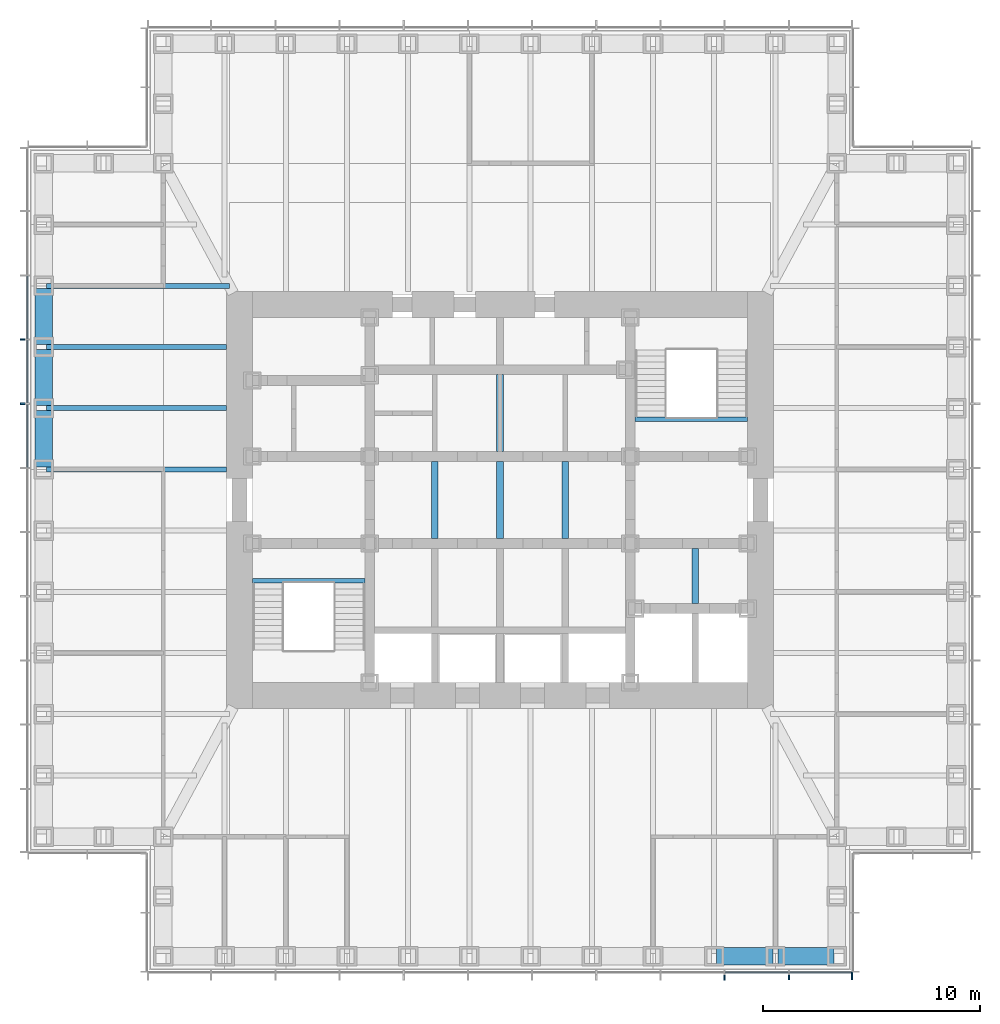
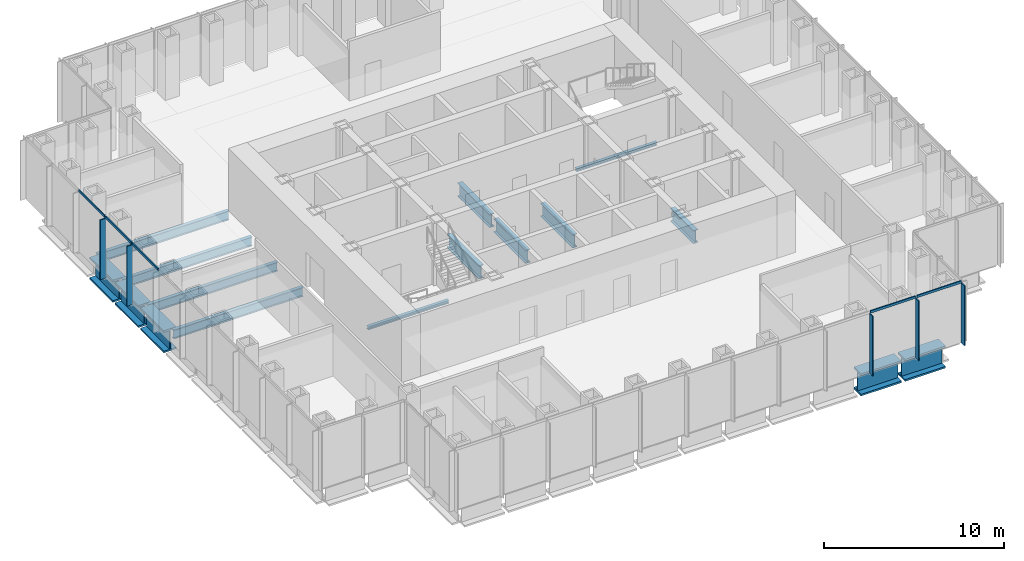
# One storey, part 3 of 16: 16 beams, 10 members, 2 elements without a shape of their own.
"""IFC4 building model written with IfcOpenShell, lengths in metres."""

from ifc_helpers import new_model, si_unit, direction, frame, origin, origin_2d, place, context, subcontext, project, spatial, rectangle, i_section, extrude, material, material_profile, profile_set, type_object, element, aggregate, save


model = new_model("IFC4")

# Units and contexts
model_context = context("Model", 3, precision=1e-05, world=origin(), true_north=direction((0.0, 1.0)))
body_context = subcontext(model_context, "Body", "Model", "MODEL_VIEW")
ifc_project = project(units=[si_unit("LENGTHUNIT", "METRE"), si_unit("AREAUNIT", "SQUARE_METRE"), si_unit("VOLUMEUNIT", "CUBIC_METRE"), si_unit("PLANEANGLEUNIT", "RADIAN"), si_unit("MASSUNIT", "GRAM", prefix="KILO")], contexts=[model_context])

# Site, building, storey
site_placement = place(None, origin())
site = spatial("IfcSite", under=ifc_project, at=site_placement, CompositionType="ELEMENT")
building_placement = place(site_placement, origin())
building = spatial("IfcBuilding", under=site, at=building_placement, Name="Daluyong Arena Tower", CompositionType="ELEMENT")
storey_placement = place(building_placement, frame((0.0, 0.0, 198.10009765625)))
storey = spatial("IfcBuildingStorey", under=building, at=storey_placement, Name="L44", CompositionType="ELEMENT", Elevation=198.10009765625)

# Curtain wall, members
ifc_material_1 = material(Name="Bronze anodised aluminium and glass", Category="aluminium")
curtain_wall_type = type_object("IfcCurtainWallType", Name="Curtain wall CW3", PredefinedType="USERDEFINED", material=ifc_material_1)
curtain_wall_1_placement = place(storey_placement, origin())
curtain_wall_1 = element("IfcCurtainWall", 1, at=curtain_wall_1_placement, inside=storey, type_object=curtain_wall_type, Name="curtain wall L44 S", ObjectType="UNITISED CURTAIN WALL", PredefinedType="USERDEFINED")
ifc_material_2 = material(Name="Bronze anodised aluminium fin", Category="aluminium")
ifc_material_profile_1 = material_profile(ifc_material_2, rectangle(XDim=0.35009765625, YDim=0.070068359375, at=origin_2d()))
ifc_profile_set_1 = profile_set([ifc_material_profile_1], Name="Bronze anodised aluminium fin")
member_type_1 = type_object("IfcMemberType", Name="CW3 bronze fin 350x70", PredefinedType="MULLION", material=ifc_profile_set_1)
member_1_placement = place(storey_placement, frame((66.3408203125, 58.074951171875, 0.0), z_axis=(0.0, 0.0, 1.0), x_axis=(0.0, 1.0, 0.0)))
member_1 = element("IfcMember", 2, at=member_1_placement, type_object=member_type_1, Name="curtain wall L44 S fin 10", PredefinedType="MULLION", context=body_context, shape_type="SweptSolid", body=[
    extrude(rectangle(XDim=0.35009765625, YDim=0.070068359375, at=origin_2d()), origin(), (0.0, 0.0, 1.0), 4.039794921875),
])
member_2_placement = place(storey_placement, frame((69.29541015625, 58.074951171875, 0.0), z_axis=(0.0, 0.0, 1.0), x_axis=(0.0, 1.0, 0.0)))
member_2 = element("IfcMember", 3, at=member_2_placement, type_object=member_type_1, Name="curtain wall L44 S fin 11", PredefinedType="MULLION", context=body_context, shape_type="SweptSolid", body=[
    extrude(rectangle(XDim=0.35009765625, YDim=0.070068359375, at=origin_2d()), origin(), (0.0, 0.0, 1.0), 4.039794921875),
])
member_3_placement = place(storey_placement, frame((72.215087890625, 58.074951171875, 0.0), z_axis=(0.0, 0.0, 1.0), x_axis=(0.0, 1.0, 0.0)))
member_3 = element("IfcMember", 4, at=member_3_placement, type_object=member_type_1, Name="curtain wall L44 S fin 12", PredefinedType="MULLION", context=body_context, shape_type="SweptSolid", body=[
    extrude(rectangle(XDim=0.35009765625, YDim=0.070068359375, at=origin_2d()), origin(), (0.0, 0.0, 1.0), 4.039794921875),
])

curtain_wall_2_placement = place(storey_placement, origin())
curtain_wall_2 = element("IfcCurtainWall", 5, at=curtain_wall_2_placement, inside=storey, type_object=curtain_wall_type, Name="curtain wall L44 W", ObjectType="UNITISED CURTAIN WALL", PredefinedType="USERDEFINED")
member_4_placement = place(storey_placement, frame((34.074951171875, 87.386474609375, 0.0), z_axis=(0.0, 0.0, 1.0), x_axis=(1.0, 0.0, 0.0)))
member_4 = element("IfcMember", 6, at=member_4_placement, type_object=member_type_1, Name="curtain wall L44 W fin 4", PredefinedType="MULLION", context=body_context, shape_type="SweptSolid", body=[
    extrude(rectangle(XDim=0.35009765625, YDim=0.070068359375, at=origin_2d()), origin(), (0.0, 0.0, 1.0), 4.039794921875),
])
member_5_placement = place(storey_placement, frame((34.074951171875, 84.431884765625, 0.0), z_axis=(0.0, 0.0, 1.0), x_axis=(1.0, 0.0, 0.0)))
member_5 = element("IfcMember", 7, at=member_5_placement, type_object=member_type_1, Name="curtain wall L44 W fin 5", PredefinedType="MULLION", context=body_context, shape_type="SweptSolid", body=[
    extrude(rectangle(XDim=0.35009765625, YDim=0.070068359375, at=origin_2d()), origin(), (0.0, 0.0, 1.0), 4.039794921875),
])

# Member
ifc_material_3 = material(Name="Bronze anodised aluminium", Category="aluminium")
ifc_material_profile_2 = material_profile(ifc_material_3, rectangle(XDim=0.070068359375, YDim=0.159912109375, at=origin_2d()))
ifc_profile_set_2 = profile_set([ifc_material_profile_2], Name="Bronze anodised aluminium")
member_type_2 = type_object("IfcMemberType", Name="CW3 stack transom 160x70", PredefinedType="USERDEFINED", material=ifc_profile_set_2)
member_6_placement = place(storey_placement, frame((66.3759765625, 58.25, 4.119873046875), z_axis=(1.0, 0.0, 0.0), x_axis=(0.0, 1.0, 0.0)))
member_6 = element("IfcMember", 8, at=member_6_placement, type_object=member_type_2, Name="curtain wall L44 S transom 10", ObjectType="TRANSOM", PredefinedType="USERDEFINED", context=body_context, shape_type="SweptSolid", body=[
    extrude(rectangle(XDim=0.070068359375, YDim=0.159912109375, at=origin_2d()), origin(), (0.0, 0.0, 1.0), 2.884521484375),
])

member_7_placement = place(storey_placement, frame((69.33056640625, 58.25, 4.119873046875), z_axis=(1.0, 0.0, 0.0), x_axis=(0.0, 1.0, 0.0)))
member_7 = element("IfcMember", 9, at=member_7_placement, type_object=member_type_2, Name="curtain wall L44 S transom 11", ObjectType="TRANSOM", PredefinedType="USERDEFINED", context=body_context, shape_type="SweptSolid", body=[
    extrude(rectangle(XDim=0.070068359375, YDim=0.159912109375, at=origin_2d()), origin(), (0.0, 0.0, 1.0), 2.849365234375),
])

aggregate(curtain_wall_1, [member_1, member_2, member_3, member_6, member_7])

member_8_placement = place(storey_placement, frame((34.25, 90.305908203125, 4.119873046875), z_axis=(0.0, -1.0, 0.0), x_axis=(1.0, 0.0, 0.0)))
member_8 = element("IfcMember", 10, at=member_8_placement, type_object=member_type_2, Name="curtain wall L44 W transom 3", ObjectType="TRANSOM", PredefinedType="USERDEFINED", context=body_context, shape_type="SweptSolid", body=[
    extrude(rectangle(XDim=0.070068359375, YDim=0.159912109375, at=origin_2d()), origin(), (0.0, 0.0, 1.0), 2.884521484375),
])

member_9_placement = place(storey_placement, frame((34.25, 87.351318359375, 4.119873046875), z_axis=(0.0, -1.0, 0.0), x_axis=(1.0, 0.0, 0.0)))
member_9 = element("IfcMember", 11, at=member_9_placement, type_object=member_type_2, Name="curtain wall L44 W transom 4", ObjectType="TRANSOM", PredefinedType="USERDEFINED", context=body_context, shape_type="SweptSolid", body=[
    extrude(rectangle(XDim=0.070068359375, YDim=0.159912109375, at=origin_2d()), origin(), (0.0, 0.0, 1.0), 2.884521484375),
])

member_10_placement = place(storey_placement, frame((34.25, 84.396728515625, 4.119873046875), z_axis=(0.0, -1.0, 0.0), x_axis=(1.0, 0.0, 0.0)))
member_10 = element("IfcMember", 12, at=member_10_placement, type_object=member_type_2, Name="curtain wall L44 W transom 5", ObjectType="TRANSOM", PredefinedType="USERDEFINED", context=body_context, shape_type="SweptSolid", body=[
    extrude(rectangle(XDim=0.070068359375, YDim=0.159912109375, at=origin_2d()), origin(), (0.0, 0.0, 1.0), 2.884521484375),
])

aggregate(curtain_wall_2, [member_4, member_5, member_8, member_9, member_10])

# Beams
ifc_material_4 = material(Name="Steel ASTM A992 Grade 50", Category="steel")
ifc_material_profile_3 = material_profile(ifc_material_4, i_section(OverallWidth=0.22900390625, OverallDepth=0.612060546875, WebThickness=0.011962890625, FlangeThickness=0.01953125, at=origin_2d()))
ifc_profile_set_3 = profile_set([ifc_material_profile_3], Name="Steel ASTM A992 Grade 50")
beam_type_1 = type_object("IfcBeamType", Name="Floor beam W24X84", PredefinedType="BEAM", material=ifc_profile_set_3)
beam_1_placement = place(storey_placement, frame((35.114990234375, 89.863525390625, -0.466064453125), z_axis=(1.0, 0.0, 0.0), x_axis=(0.0, 1.0, 0.0)))
element("IfcBeam", 13, at=beam_1_placement, inside=storey, type_object=beam_type_1, Name="floor beam FB3", PredefinedType="BEAM", context=body_context, shape_type="SweptSolid", body=[
    extrude(i_section(OverallWidth=0.22900390625, OverallDepth=0.612060546875, WebThickness=0.011962890625, FlangeThickness=0.01953125, at=origin_2d()), origin(), (0.0, 0.0, 1.0), 8.419921875),
])
for number, where, z_axis, x_axis, name in (
    (14, (35.114990234375, 87.04541015625, -0.466064453125), (1.0, 0.0, 0.0), (0.0, 1.0, 0.0), "floor beam FB3"),
    (15, (35.114990234375, 84.227294921875, -0.466064453125), (1.0, 0.0, 0.0), (0.0, 1.0, 0.0), "floor beam FB3"),
    (16, (35.114990234375, 81.4091796875, -0.466064453125), (1.0, 0.0, 0.0), (0.0, 1.0, 0.0), "floor beam FB3"),
):
    element("IfcBeam", number, at=place(storey_placement, frame(where, z_axis=z_axis, x_axis=x_axis)), inside=storey, type_object=beam_type_1, Name=name, PredefinedType="BEAM", context=body_context, shape_type="SweptSolid", body=[
        extrude(i_section(OverallWidth=0.22900390625, OverallDepth=0.612060546875, WebThickness=0.011962890625, FlangeThickness=0.01953125, at=origin_2d()), origin(), (0.0, 0.0, 1.0), 8.284912109375),
    ])
ifc_material_5 = material(Name="Steel ASTM A572 Grade 50", Category="steel")
ifc_material_profile_4 = material_profile(ifc_material_5, i_section(OverallWidth=0.300048828125, OverallDepth=0.89990234375, WebThickness=0.025, FlangeThickness=0.04, at=origin_2d()))
ifc_profile_set_4 = profile_set([ifc_material_profile_4], Name="Steel ASTM A572 Grade 50")
beam_type_2 = type_object("IfcBeamType", Name="Lift divider beam PG900X300", PredefinedType="BEAM", material=ifc_profile_set_4)
for number, where, z_axis, x_axis, name in (
    (17, (53.0, 78.22509765625, -0.610107421875), (0.0, 1.0, 0.0), (-1.0, 0.0, 0.0), "lift divider beam DB1"),
    (18, (56.0, 78.22509765625, -0.610107421875), (0.0, 1.0, 0.0), (-1.0, 0.0, 0.0), "lift divider beam DB1"),
    (19, (56.0, 82.22509765625, -0.610107421875), (0.0, 1.0, 0.0), (-1.0, 0.0, 0.0), "lift divider beam DB1"),
    (20, (59.0, 78.22509765625, -0.610107421875), (0.0, 1.0, 0.0), (-1.0, 0.0, 0.0), "lift divider beam DB1"),
):
    element("IfcBeam", number, at=place(storey_placement, frame(where, z_axis=z_axis, x_axis=x_axis)), inside=storey, type_object=beam_type_2, Name=name, PredefinedType="BEAM", context=body_context, shape_type="SweptSolid", body=[
        extrude(i_section(OverallWidth=0.300048828125, OverallDepth=0.89990234375, WebThickness=0.025, FlangeThickness=0.04, at=origin_2d()), origin(), (0.0, 0.0, 1.0), 3.5498046875),
    ])
beam_2_placement = place(storey_placement, frame((65.0, 75.22509765625, -0.610107421875), z_axis=(0.0, 1.0, 0.0), x_axis=(-1.0, 0.0, 0.0)))
element("IfcBeam", 21, at=beam_2_placement, inside=storey, type_object=beam_type_2, Name="lift divider beam DB1", PredefinedType="BEAM", context=body_context, shape_type="SweptSolid", body=[
    extrude(i_section(OverallWidth=0.300048828125, OverallDepth=0.89990234375, WebThickness=0.025, FlangeThickness=0.04, at=origin_2d()), origin(), (0.0, 0.0, 1.0), 2.5498046875),
])
ifc_material_6 = material(Name="Steel ASTM A588 Grade 50", Category="steel")
ifc_material_profile_5 = material_profile(ifc_material_6, i_section(OverallWidth=0.800048828125, OverallDepth=1.5, WebThickness=0.05, FlangeThickness=0.12, at=origin_2d()))
ifc_profile_set_5 = profile_set([ifc_material_profile_5], Name="Steel ASTM A588 Grade 50")
beam_type_3 = type_object("IfcBeamType", Name="Spandrel Z3 PG1500X800", PredefinedType="SPANDREL", material=ifc_profile_set_5)
beam_3_placement = place(storey_placement, frame((65.978515625, 59.0, -0.91015625), z_axis=(1.0, 0.0, 0.0), x_axis=(0.0, 1.0, 0.0)))
element("IfcBeam", 22, at=beam_3_placement, inside=storey, type_object=beam_type_3, Name="spandrel z3 SB7", PredefinedType="SPANDREL", context=body_context, shape_type="SweptSolid", body=[
    extrude(i_section(OverallWidth=0.800048828125, OverallDepth=1.5, WebThickness=0.05, FlangeThickness=0.12, at=origin_2d()), origin(), (0.0, 0.0, 1.0), 2.58837890625),
])
for number, where, z_axis, x_axis, name in (
    (23, (68.796875, 59.0, -0.91015625), (1.0, 0.0, 0.0), (0.0, 1.0, 0.0), "spandrel z3 SB7"),
    (24, (35.0, 89.74853515625, -0.91015625), (0.0, -1.0, 0.0), (1.0, 0.0, 0.0), "spandrel z3 SB7"),
    (25, (35.0, 86.930419921875, -0.91015625), (0.0, -1.0, 0.0), (1.0, 0.0, 0.0), "spandrel z3 SB7"),
    (26, (35.0, 84.1123046875, -0.91015625), (0.0, -1.0, 0.0), (1.0, 0.0, 0.0), "spandrel z3 SB7"),
):
    element("IfcBeam", number, at=place(storey_placement, frame(where, z_axis=z_axis, x_axis=x_axis)), inside=storey, type_object=beam_type_3, Name=name, PredefinedType="SPANDREL", context=body_context, shape_type="SweptSolid", body=[
        extrude(i_section(OverallWidth=0.800048828125, OverallDepth=1.5, WebThickness=0.05, FlangeThickness=0.12, at=origin_2d()), origin(), (0.0, 0.0, 1.0), 2.588134765625),
    ])
ifc_material_7 = material(Name="Steel ASTM A992 Grade 50", Category="steel")
ifc_material_profile_6 = material_profile(ifc_material_7, i_section(OverallWidth=0.203125, OverallDepth=0.203125, WebThickness=0.00732421875, FlangeThickness=0.010986328125, at=origin_2d()))
ifc_profile_set_6 = profile_set([ifc_material_profile_6], Name="Steel ASTM A992 Grade 50")
beam_type_4 = type_object("IfcBeamType", Name="Stair landing beam W8X31", PredefinedType="BEAM", material=ifc_profile_set_6)
for number, where, z_axis, x_axis, name in (
    (27, (44.60009765625, 76.276611328125, -0.26171875), (1.0, 0.0, 0.0), (0.0, 1.0, 0.0), "exit stair A landing beam"),
    (28, (62.22509765625, 83.723388671875, -0.26171875), (1.0, 0.0, 0.0), (0.0, 1.0, 0.0), "exit stair B landing beam"),
):
    element("IfcBeam", number, at=place(storey_placement, frame(where, z_axis=z_axis, x_axis=x_axis)), inside=storey, type_object=beam_type_4, Name=name, PredefinedType="BEAM", context=body_context, shape_type="SweptSolid", body=[
        extrude(i_section(OverallWidth=0.203125, OverallDepth=0.203125, WebThickness=0.00732421875, FlangeThickness=0.010986328125, at=origin_2d()), origin(), (0.0, 0.0, 1.0), 5.1748046875),
    ])

save(model, "model.ifc")
